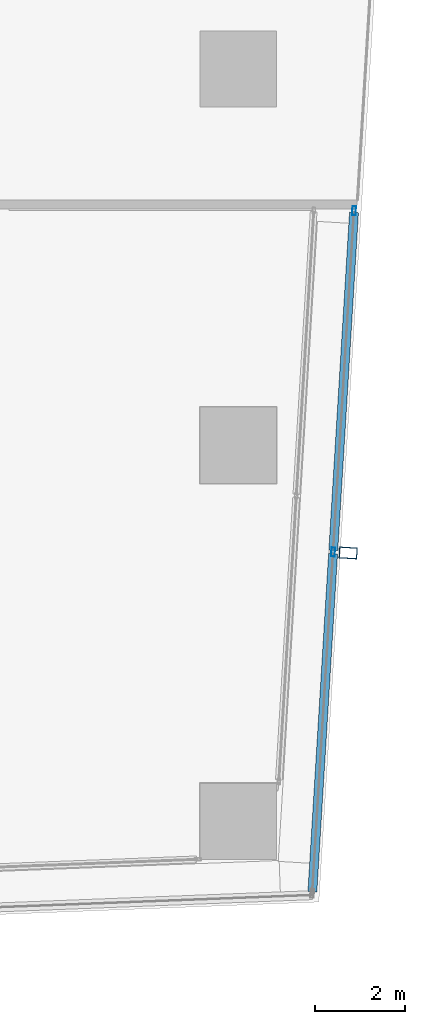
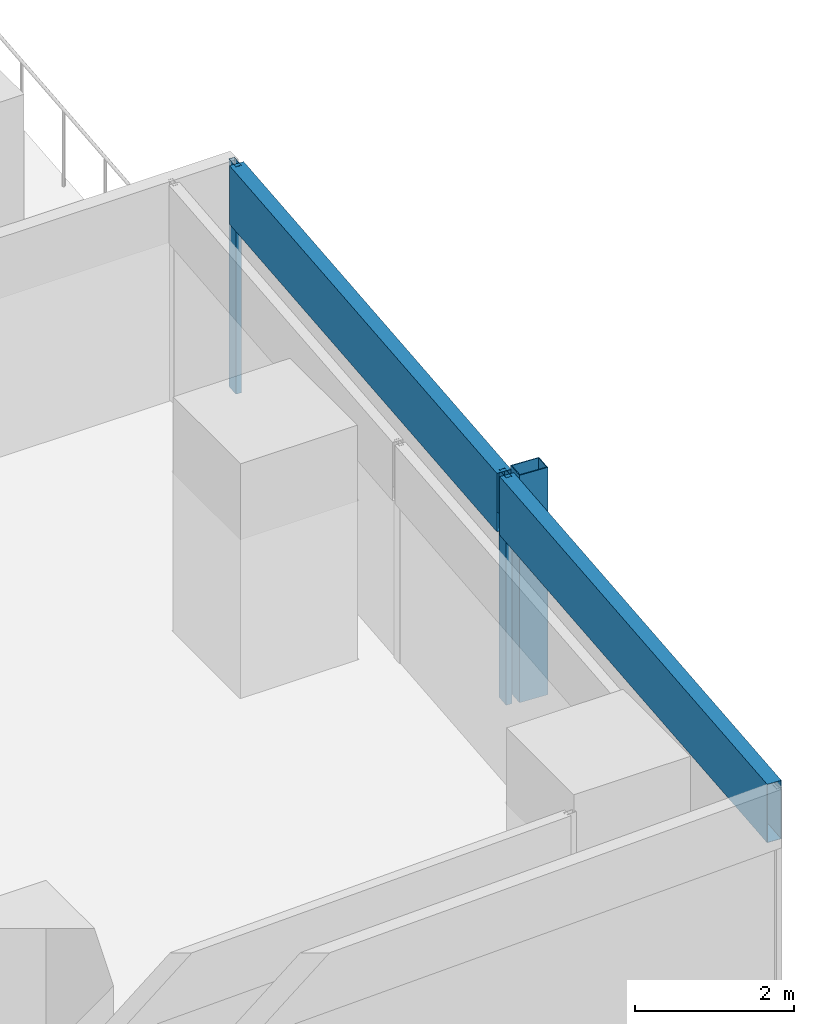
# One storey, part 25 of 40: 5 members, 1 element without a shape of its own.
"""IFC4 building model written with IfcOpenShell, lengths in metres."""

from ifc_helpers import new_model, si_unit, direction, frame, origin, origin_2d, place, context, subcontext, project, spatial, hollow_rectangle, extrude, material, material_profile, profile_set, type_object, element, aggregate, save


model = new_model("IFC4")

# Units and contexts
model_context = context("Model", 3, precision=1e-05, world=origin(), true_north=direction((0.0, 1.0)))
body_context = subcontext(model_context, "Body", "Model", "MODEL_VIEW")
ifc_project = project(units=[si_unit("LENGTHUNIT", "METRE"), si_unit("AREAUNIT", "SQUARE_METRE"), si_unit("VOLUMEUNIT", "CUBIC_METRE"), si_unit("PLANEANGLEUNIT", "RADIAN"), si_unit("MASSUNIT", "GRAM", prefix="KILO")], contexts=[model_context])

# Site, building, storey
site_placement = place(None, origin())
site = spatial("IfcSite", under=ifc_project, at=site_placement, CompositionType="ELEMENT")
building_placement = place(site_placement, origin())
building = spatial("IfcBuilding", under=site, at=building_placement, Name="Rekha Terrace Tower", CompositionType="ELEMENT")
storey_placement = place(building_placement, frame((0.0, 0.0, 99.050048828125)))
storey = spatial("IfcBuildingStorey", under=building, at=storey_placement, Name="L24", CompositionType="ELEMENT", Elevation=99.050048828125)

# Curtain wall, members
ifc_material_1 = material(Name="Aluminium framing", Category="aluminium")
curtain_wall_type = type_object("IfcCurtainWallType", Name="CW2 double skin outer glazing", PredefinedType="USERDEFINED", material=ifc_material_1)
curtain_wall_placement = place(storey_placement, origin())
curtain_wall = element("IfcCurtainWall", 1, at=curtain_wall_placement, inside=storey, type_object=curtain_wall_type, Name="CW2 double skin outer glazing", ObjectType="DOUBLE SKIN OUTER GLAZING", PredefinedType="USERDEFINED")
ifc_material_2 = material(Name="Steel S355 with fluorocarbon finish", Category="steel")
ifc_material_profile_1 = material_profile(ifc_material_2, hollow_rectangle(XDim=0.25, YDim=0.39990234375, WallThickness=0.012451171875, at=origin_2d()), Name="RHS400x250x12.5")
ifc_profile_set_1 = profile_set([ifc_material_profile_1], Name="Steel S355 with fluorocarbon finish")
member_type_1 = type_object("IfcMemberType", Name="BL1 facade blade RHS 400 x 250", PredefinedType="USERDEFINED", material=ifc_profile_set_1)
member_1_placement = place(storey_placement, frame((69.653076171875, 22.795654296875, 0.0), z_axis=(0.0, 0.0, 1.0), x_axis=(0.061160031881, 0.998127973008, 0.0)))
member_1 = element("IfcMember", 2, at=member_1_placement, type_object=member_type_1, Name="Facade blade", ObjectType="FACADE BLADE", PredefinedType="USERDEFINED", context=body_context, shape_type="SweptSolid", body=[
    extrude(hollow_rectangle(XDim=0.25, YDim=0.39990234375, WallThickness=0.012451171875, at=origin_2d()), origin(), (0.0, 0.0, 1.0), 3.5),
])
ifc_material_3 = material(Name="Aluminium mullion section", Category="aluminium")
ifc_material_profile_2 = material_profile(ifc_material_3, hollow_rectangle(XDim=0.080078125, YDim=0.199951171875, WallThickness=0.00390625, at=origin_2d()), Name="AL RHS 80x200")
ifc_profile_set_2 = profile_set([ifc_material_profile_2], Name="Aluminium mullion section")
member_type_2 = type_object("IfcMemberType", Name="CW2 mullion RHS 80 x 200", PredefinedType="MULLION", material=ifc_profile_set_2)
member_2_placement = place(storey_placement, frame((69.318603515625, 22.816162109375, 0.0), z_axis=(0.0, 0.0, 1.0), x_axis=(-0.998127987023, 0.061159803148, 0.0)))
member_2 = element("IfcMember", 3, at=member_2_placement, type_object=member_type_2, Name="CW2 mullion 2", PredefinedType="MULLION", context=body_context, shape_type="SweptSolid", body=[
    extrude(hollow_rectangle(XDim=0.080078125, YDim=0.199951171875, WallThickness=0.00390625, at=origin_2d()), origin(), (0.0, 0.0, 1.0), 3.5),
])
member_3_placement = place(storey_placement, frame((69.78564453125, 30.43798828125, 0.0), z_axis=(0.0, 0.0, 1.0), x_axis=(-0.998127987023, 0.061159803148, 0.0)))
member_3 = element("IfcMember", 4, at=member_3_placement, type_object=member_type_2, Name="CW2 mullion 3", PredefinedType="MULLION", context=body_context, shape_type="SweptSolid", body=[
    extrude(hollow_rectangle(XDim=0.080078125, YDim=0.199951171875, WallThickness=0.00390625, at=origin_2d()), origin(), (0.0, 0.0, 1.0), 3.5),
])
ifc_material_4 = material(Name="Insulated aluminium spandrel box", Category="aluminium")
ifc_material_profile_3 = material_profile(ifc_material_4, hollow_rectangle(XDim=0.199951171875, YDim=0.89990234375, WallThickness=0.0029296875, at=origin_2d()), Name="AL SPANDREL BOX 200x900")
ifc_profile_set_3 = profile_set([ifc_material_profile_3], Name="Insulated aluminium spandrel box")
member_type_3 = type_object("IfcMemberType", Name="CW2 spandrel transom 200 x 900", PredefinedType="USERDEFINED", material=ifc_profile_set_3)
member_4_placement = place(storey_placement, frame((68.85400390625, 15.234130859375, 3.050048828125), z_axis=(0.06116327453, 0.99812777431, 0.0), x_axis=(-0.99812777431, 0.06116327453, 0.0)))
member_4 = element("IfcMember", 5, at=member_4_placement, type_object=member_type_3, Name="CW2 spandrel transom 1", ObjectType="TRANSOM", PredefinedType="USERDEFINED", context=body_context, shape_type="SweptSolid", body=[
    extrude(hollow_rectangle(XDim=0.199951171875, YDim=0.89990234375, WallThickness=0.0029296875, at=origin_2d()), origin(), (0.0, 0.0, 1.0), 7.55615234375),
])
member_5_placement = place(storey_placement, frame((69.321044921875, 22.85595703125, 3.050048828125), z_axis=(0.061161302093, 0.998127895175, 0.0), x_axis=(-0.998127895175, 0.061161302093, 0.0)))
member_5 = element("IfcMember", 6, at=member_5_placement, type_object=member_type_3, Name="CW2 spandrel transom 2", ObjectType="TRANSOM", PredefinedType="USERDEFINED", context=body_context, shape_type="SweptSolid", body=[
    extrude(hollow_rectangle(XDim=0.199951171875, YDim=0.89990234375, WallThickness=0.0029296875, at=origin_2d()), origin(), (0.0, 0.0, 1.0), 7.556396484375),
])
aggregate(curtain_wall, [member_2, member_3, member_4, member_5, member_1])

save(model, "model.ifc")
